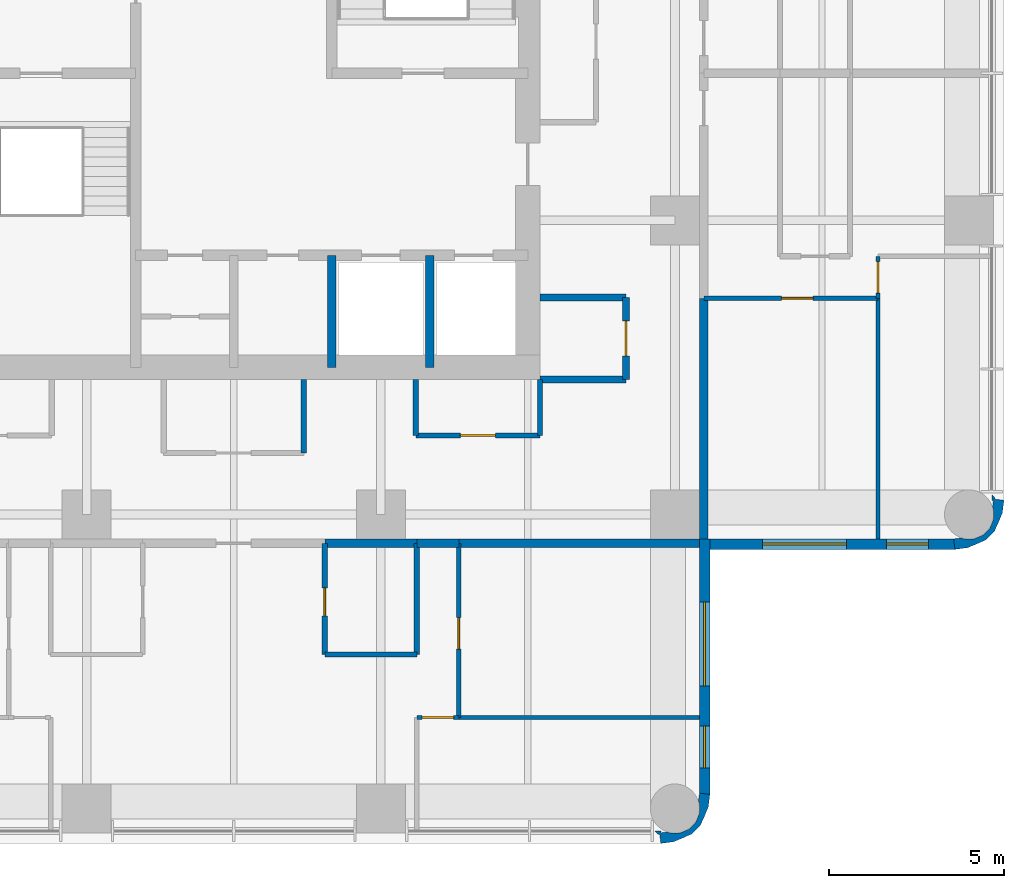
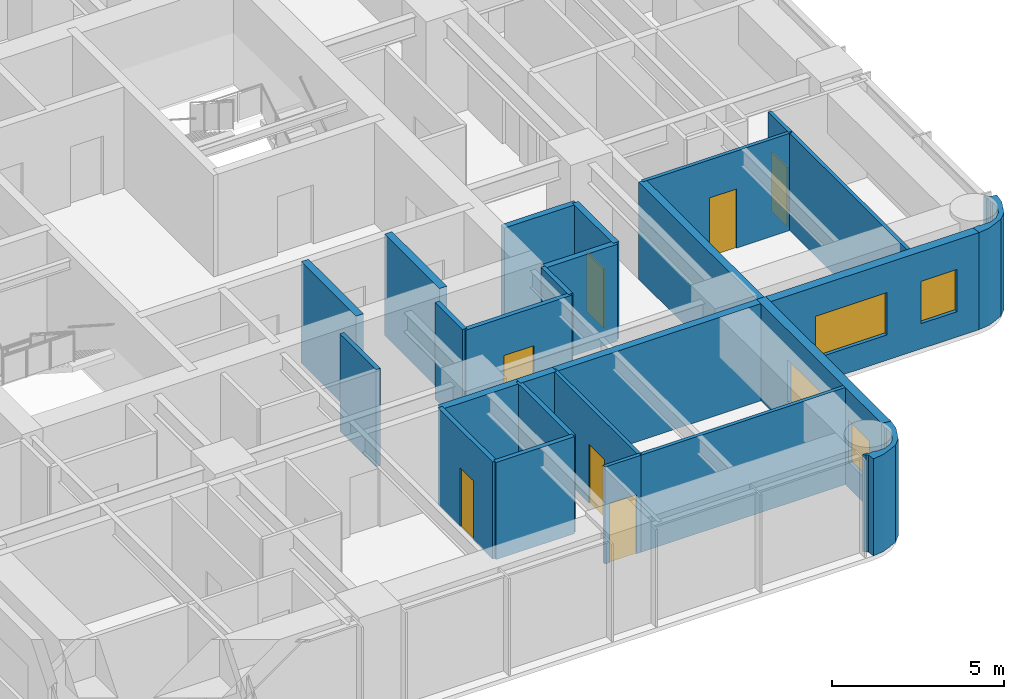
# One storey, part 7 of 11: 26 walls, 7 doors, 4 windows, 11 openings.
"""IFC4 building model written with IfcOpenShell, lengths in metres."""

from ifc_helpers import new_model, si_unit, direction, frame, frame_2d, origin, place, context, subcontext, project, spatial, polyline, rectangle, outline, extrude, material, layer, layer_set, type_object, element, fill, save


model = new_model("IFC4")

# Units and contexts
model_context = context("Model", 3, precision=1e-05, world=origin(), true_north=direction((0.0, 1.0)))
body_context = subcontext(model_context, "Body", "Model", "MODEL_VIEW")
ifc_project = project(units=[si_unit("LENGTHUNIT", "METRE"), si_unit("AREAUNIT", "SQUARE_METRE"), si_unit("VOLUMEUNIT", "CUBIC_METRE"), si_unit("PLANEANGLEUNIT", "RADIAN"), si_unit("MASSUNIT", "GRAM", prefix="KILO")], contexts=[model_context])

# Site, building, storey
site_placement = place(None, origin())
site = spatial("IfcSite", under=ifc_project, at=site_placement, CompositionType="ELEMENT")
building_placement = place(site_placement, origin())
building = spatial("IfcBuilding", under=site, at=building_placement, Name="Torre Alcanfor", CompositionType="ELEMENT")
storey_placement = place(building_placement, frame((0.0, 0.0, 197.699951171875)))
storey = spatial("IfcBuildingStorey", under=building, at=storey_placement, Name="L51", CompositionType="ELEMENT", Elevation=197.699951171875)

# Walls
ifc_material_1 = material(Name="Concrete block masonry, hollow blocks NMX-C-404 9 MPa", Category="masonry")
ifc_layer_1 = layer(ifc_material_1, 0.25)
ifc_layer_set_1 = layer_set([ifc_layer_1], Name="Apartment entrance wall 250 EI 60")
wall_type_1 = type_object("IfcWallType", Name="Apartment entrance wall 250 EI 60", PredefinedType="PARTITIONING", material=ifc_layer_set_1)
wall_1_placement = place(storey_placement, frame((42.824951171875, 22.970947265625, 0.0), z_axis=(0.0, 0.0, 1.0), x_axis=(0.0, -1.0, 0.0)))
element("IfcWall", 1, at=wall_1_placement, inside=storey, type_object=wall_type_1, Name="Partition L51-CORR / L51-E2-BED2", PredefinedType="PARTITIONING", context=body_context, shape_type="SweptSolid", body=[
    extrude(rectangle(XDim=6.870849609375, YDim=0.25, at=frame_2d((3.435546875, 0.0))), origin(), (0.0, 0.0, 1.0), 3.449951171875),
])
wall_2_placement = place(storey_placement, frame((34.62890625, 15.97509765625, 0.0), z_axis=(0.0, 0.0, 1.0), x_axis=(-1.0, 0.0, 0.0)))
element("IfcWall", 2, at=wall_2_placement, inside=storey, type_object=wall_type_1, Name="Partition L51-CORR / L51-SX-BATH2", PredefinedType="PARTITIONING", context=body_context, shape_type="SweptSolid", body=[
    extrude(rectangle(XDim=2.62890625, YDim=0.25, at=frame_2d((1.314453125, 0.0))), origin(), (0.0, 0.0, 1.0), 3.449951171875),
])
wall_3_placement = place(storey_placement, frame((35.8291015625, 15.97509765625, 0.0), z_axis=(0.0, 0.0, 1.0), x_axis=(-1.0, 0.0, 0.0)))
element("IfcWall", 3, at=wall_3_placement, inside=storey, type_object=wall_type_1, Name="Partition L51-CORR / L51-SX-LIVING", PredefinedType="PARTITIONING", context=body_context, shape_type="SweptSolid", body=[
    extrude(rectangle(XDim=1.2001953125, YDim=0.25, at=frame_2d((0.60009765625, 0.0))), origin(), (0.0, 0.0, 1.0), 3.449951171875),
])
wall_4_placement = place(storey_placement, frame((42.699951171875, 15.97509765625, 0.0), z_axis=(0.0, 0.0, 1.0), x_axis=(-1.0, 0.0, 0.0)))
element("IfcWall", 4, at=wall_4_placement, inside=storey, type_object=wall_type_1, Name="Partition L51-CORR / L51-SX-BED2", PredefinedType="PARTITIONING", context=body_context, shape_type="SweptSolid", body=[
    extrude(rectangle(XDim=6.870849609375, YDim=0.25, at=frame_2d((3.435546875, 0.0))), origin(), (0.0, 0.0, 1.0), 3.449951171875),
])

# Wall, opening, door
ifc_material_2 = material(Name="Gypsum board on steel studs", Category="steel")
ifc_layer_2 = layer(ifc_material_2, 0.1201171875)
ifc_layer_set_2 = layer_set([ifc_layer_2], Name="Apartment partition 120")
wall_type_2 = type_object("IfcWallType", Name="Apartment partition 120", PredefinedType="PARTITIONING", material=ifc_layer_set_2)
wall_5_placement = place(storey_placement, frame((47.800048828125, 22.970947265625, 0.0), z_axis=(0.0, 0.0, 1.0), x_axis=(-1.0, 0.0, 0.0)))
wall_5 = element("IfcWall", 5, at=wall_5_placement, inside=storey, type_object=wall_type_2, Name="Partition L51-E2-LIVING / L51-E2-BED2", PredefinedType="PARTITIONING", context=body_context, shape_type="SweptSolid", body=[
    extrude(rectangle(XDim=4.97509765625, YDim=0.1201171875, at=frame_2d((2.487548828125, 0.0))), origin(), (0.0, 0.0, 1.0), 3.449951171875),
])
opening_1_placement = place(wall_5_placement, frame((1.85009765625, 0.0, 0.0)))
opening_1 = element("IfcOpeningElement", 6, at=opening_1_placement, cuts=wall_5, Name="Opening D-R1", PredefinedType="OPENING", context=body_context, shape_type="SweptSolid", body=[
    extrude(rectangle(XDim=0.89990234375, YDim=2.10009765625, at=frame_2d((0.449951171875, 1.050048828125))), frame((0.0, 0.070068359375, 0.0), z_axis=(0.0, -1.0, 0.0), x_axis=(1.0, 0.0, 0.0)), (0.0, 0.0, 1.0), 0.14013671875),
])
ifc_material_3 = material(Name="Timber", Category="wood")
door_type_1 = type_object("IfcDoorType", Name="Internal door 900x2100", OperationType="SINGLE_SWING_LEFT", PredefinedType="DOOR", material=ifc_material_3)
door_1_placement = place(opening_1_placement, origin())
door_1 = element("IfcDoor", 7, at=door_1_placement, inside=storey, type_object=door_type_1, Name="Door L51-E2 bed2", OperationType="SINGLE_SWING_LEFT", OverallHeight=2.10009765625, OverallWidth=0.89990234375, PredefinedType="DOOR", context=body_context, shape_type="SweptSolid", body=[
    extrude(rectangle(XDim=0.89990234375, YDim=2.10009765625, at=frame_2d((0.449951171875, 1.050048828125))), frame((0.0, 0.02490234375, 0.0), z_axis=(0.0, -1.0, 0.0), x_axis=(1.0, 0.0, 0.0)), (0.0, 0.0, 1.0), 0.050048828125),
])
fill(opening_1, door_1)

wall_6_placement = place(storey_placement, frame((47.800048828125, 24.1708984375, 0.0), z_axis=(0.0, 0.0, 1.0), x_axis=(0.0, -1.0, 0.0)))
wall_6 = element("IfcWall", 8, at=wall_6_placement, inside=storey, type_object=wall_type_2, Name="Partition L51-E2-LIVING / L51-E2-MASTER", PredefinedType="PARTITIONING", context=body_context, shape_type="SweptSolid", body=[
    extrude(rectangle(XDim=1.199951171875, YDim=0.1201171875, at=frame_2d((0.60009765625, 0.0))), origin(), (0.0, 0.0, 1.0), 3.449951171875),
])
opening_2_placement = place(wall_6_placement, frame((0.15087890625, 0.0, 0.0)))
opening_2 = element("IfcOpeningElement", 9, at=opening_2_placement, cuts=wall_6, Name="Opening D-R1", PredefinedType="OPENING", context=body_context, shape_type="SweptSolid", body=[
    extrude(rectangle(XDim=0.89990234375, YDim=2.10009765625, at=frame_2d((0.449951171875, 1.050048828125))), frame((0.0, 0.070068359375, 0.0), z_axis=(0.0, -1.0, 0.0), x_axis=(1.0, 0.0, 0.0)), (0.0, 0.0, 1.0), 0.14013671875),
])
door_2_placement = place(opening_2_placement, origin())
door_2 = element("IfcDoor", 10, at=door_2_placement, inside=storey, type_object=door_type_1, Name="Door L51-E2 master", OperationType="SINGLE_SWING_LEFT", OverallHeight=2.10009765625, OverallWidth=0.89990234375, PredefinedType="DOOR", context=body_context, shape_type="SweptSolid", body=[
    extrude(rectangle(XDim=0.89990234375, YDim=2.10009765625, at=frame_2d((0.449951171875, 1.050048828125))), frame((0.0, 0.02490234375, 0.0), z_axis=(0.0, -1.0, 0.0), x_axis=(1.0, 0.0, 0.0)), (0.0, 0.0, 1.0), 0.050048828125),
])
fill(opening_2, door_2)

# Wall
wall_7_placement = place(storey_placement, frame((47.800048828125, 22.970947265625, 0.0), z_axis=(0.0, 0.0, 1.0), x_axis=(0.0, -1.0, 0.0)))
element("IfcWall", 11, at=wall_7_placement, inside=storey, type_object=wall_type_2, Name="Partition L51-E2-BED2 / L51-E2-MASTER", PredefinedType="PARTITIONING", context=body_context, shape_type="SweptSolid", body=[
    extrude(rectangle(XDim=6.870849609375, YDim=0.1201171875, at=frame_2d((3.435546875, 0.0))), origin(), (0.0, 0.0, 1.0), 3.449951171875),
])

# Wall, opening, door
wall_8_placement = place(storey_placement, frame((35.8291015625, 15.97509765625, 0.0), z_axis=(0.0, 0.0, 1.0), x_axis=(0.0, -1.0, 0.0)))
wall_8 = element("IfcWall", 12, at=wall_8_placement, inside=storey, type_object=wall_type_2, Name="Partition L51-SX-LIVING / L51-SX-BED2", PredefinedType="PARTITIONING", context=body_context, shape_type="SweptSolid", body=[
    extrude(rectangle(XDim=4.97509765625, YDim=0.1201171875, at=frame_2d((2.487548828125, 0.0))), origin(), (0.0, 0.0, 1.0), 3.449951171875),
])
opening_3_placement = place(wall_8_placement, frame((2.125, 0.0, 0.0)))
opening_3 = element("IfcOpeningElement", 13, at=opening_3_placement, cuts=wall_8, Name="Opening D-R1", PredefinedType="OPENING", context=body_context, shape_type="SweptSolid", body=[
    extrude(rectangle(XDim=0.89990234375, YDim=2.10009765625, at=frame_2d((0.449951171875, 1.050048828125))), frame((0.0, 0.070068359375, 0.0), z_axis=(0.0, -1.0, 0.0), x_axis=(1.0, 0.0, 0.0)), (0.0, 0.0, 1.0), 0.14013671875),
])
door_3_placement = place(opening_3_placement, origin())
door_3 = element("IfcDoor", 14, at=door_3_placement, inside=storey, type_object=door_type_1, Name="Door L51-SX bed2", OperationType="SINGLE_SWING_RIGHT", OverallHeight=2.10009765625, OverallWidth=0.89990234375, PredefinedType="DOOR", context=body_context, shape_type="SweptSolid", body=[
    extrude(rectangle(XDim=0.89990234375, YDim=2.10009765625, at=frame_2d((0.449951171875, 1.050048828125))), frame((0.0, 0.02490234375, 0.0), z_axis=(0.0, -1.0, 0.0), x_axis=(1.0, 0.0, 0.0)), (0.0, 0.0, 1.0), 0.050048828125),
])
fill(opening_3, door_3)

wall_9_placement = place(storey_placement, frame((35.8291015625, 11.0, 0.0), z_axis=(0.0, 0.0, 1.0), x_axis=(-1.0, 0.0, 0.0)))
wall_9 = element("IfcWall", 15, at=wall_9_placement, inside=storey, type_object=wall_type_2, Name="Partition L51-SX-LIVING / L51-SX-MASTER", PredefinedType="PARTITIONING", context=body_context, shape_type="SweptSolid", body=[
    extrude(rectangle(XDim=1.2001953125, YDim=0.1201171875, at=frame_2d((0.60009765625, 0.0))), origin(), (0.0, 0.0, 1.0), 3.449951171875),
])
opening_4_placement = place(wall_9_placement, frame((0.14892578125, 0.0, 0.0)))
opening_4 = element("IfcOpeningElement", 16, at=opening_4_placement, cuts=wall_9, Name="Opening D-R1", PredefinedType="OPENING", context=body_context, shape_type="SweptSolid", body=[
    extrude(rectangle(XDim=0.89990234375, YDim=2.10009765625, at=frame_2d((0.449951171875, 1.050048828125))), frame((0.0, 0.070068359375, 0.0), z_axis=(0.0, -1.0, 0.0), x_axis=(1.0, 0.0, 0.0)), (0.0, 0.0, 1.0), 0.14013671875),
])
door_4_placement = place(opening_4_placement, origin())
door_4 = element("IfcDoor", 17, at=door_4_placement, inside=storey, type_object=door_type_1, Name="Door L51-SX master", OperationType="SINGLE_SWING_RIGHT", OverallHeight=2.10009765625, OverallWidth=0.89990234375, PredefinedType="DOOR", context=body_context, shape_type="SweptSolid", body=[
    extrude(rectangle(XDim=0.89990234375, YDim=2.10009765625, at=frame_2d((0.449951171875, 1.050048828125))), frame((0.0, 0.02490234375, 0.0), z_axis=(0.0, -1.0, 0.0), x_axis=(1.0, 0.0, 0.0)), (0.0, 0.0, 1.0), 0.050048828125),
])
fill(opening_4, door_4)

# Walls
wall_10_placement = place(storey_placement, frame((35.8291015625, 11.0, 0.0), z_axis=(0.0, 0.0, 1.0), x_axis=(1.0, 0.0, 0.0)))
element("IfcWall", 18, at=wall_10_placement, inside=storey, type_object=wall_type_2, Name="Partition L51-SX-BED2 / L51-SX-MASTER", PredefinedType="PARTITIONING", context=body_context, shape_type="SweptSolid", body=[
    extrude(rectangle(XDim=6.870849609375, YDim=0.1201171875, at=frame_2d((3.435546875, 0.0))), origin(), (0.0, 0.0, 1.0), 3.449951171875),
])
ifc_material_4 = material(Name="Concrete f'c 70 MPa", Category="concrete")
ifc_layer_3 = layer(ifc_material_4, 0.25)
ifc_layer_set_3 = layer_set([ifc_layer_3], Name="Core shaft wall 250 f'c70")
wall_type_3 = type_object("IfcWallType", Name="Core shaft wall 250 f'c70", PredefinedType="SHEAR", material=ifc_layer_set_3)
for number, where, z_axis, x_axis, name in (
    (19, (32.199951171875, 21.0, 0.0), (0.0, 0.0, 1.0), (0.0, 1.0, 0.0), "Core wall X322S L51"),
    (20, (35.0, 21.0, 0.0), (0.0, 0.0, 1.0), (0.0, 1.0, 0.0), "Core wall X350S L51"),
):
    element("IfcWall", number, at=place(storey_placement, frame(where, z_axis=z_axis, x_axis=x_axis)), inside=storey, type_object=wall_type_3, Name=name, PredefinedType="SHEAR", context=body_context, shape_type="SweptSolid", body=[
        extrude(rectangle(XDim=3.199951171875, YDim=0.25, at=frame_2d((1.60009765625, 0.0))), origin(), (0.0, 0.0, 1.0), 3.60009765625),
    ])

# Wall, openings, windows
ifc_material_5 = material(Name="Limestone cladding", Category="masonry")
ifc_layer_4 = layer(ifc_material_5, 0.0400390625, Name="Facing")
ifc_material_6 = material(Name="Ventilated air cavity")
ifc_layer_5 = layer(ifc_material_6, 0.02001953125, ventilated=True, Name="Ventilated joint")
ifc_material_7 = material(Name="Mineral wool insulation", Category="insulation")
ifc_layer_6 = layer(ifc_material_7, 0.10009765625, Name="Insulation")
ifc_material_8 = material(Name="Concrete f'c 35 MPa", Category="concrete")
ifc_layer_7 = layer(ifc_material_8, 0.139892578125, Name="Backing")
ifc_layer_set_4 = layer_set([ifc_layer_4, ifc_layer_5, ifc_layer_6, ifc_layer_7], Name="External wall stone-clad 300")
wall_type_4 = type_object("IfcWallType", Name="External wall stone-clad 300", PredefinedType="SOLIDWALL", material=ifc_layer_set_4)
wall_11_placement = place(storey_placement, frame((42.85009765625, 8.800048828125, 0.0), z_axis=(0.0, 0.0, 1.0), x_axis=(0.0, 1.0, 0.0)))
wall_11 = element("IfcWall", 21, at=wall_11_placement, inside=storey, type_object=wall_type_4, Name="External wall L51 6", PredefinedType="SOLIDWALL", context=body_context, shape_type="SweptSolid", body=[
    extrude(rectangle(XDim=7.300048828125, YDim=0.300048828125, at=frame_2d((3.64990234375, 0.0))), origin(), (0.0, 0.0, 1.0), 3.449951171875),
])
opening_5_placement = place(wall_11_placement, frame((3.10009765625, 0.0, 0.89990234375)))
opening_5 = element("IfcOpeningElement", 22, at=opening_5_placement, cuts=wall_11, Name="Opening W1", PredefinedType="OPENING", context=body_context, shape_type="SweptSolid", body=[
    extrude(rectangle(XDim=2.39990234375, YDim=1.5, at=frame_2d((1.199951171875, 0.75))), frame((0.0, 0.159912109375, 0.0), z_axis=(0.0, -1.0, 0.0), x_axis=(1.0, 0.0, 0.0)), (0.0, 0.0, 1.0), 0.320068359375),
])
opening_6_placement = place(wall_11_placement, frame((0.75, 0.0, 0.89990234375)))
opening_6 = element("IfcOpeningElement", 23, at=opening_6_placement, cuts=wall_11, Name="Opening W4", PredefinedType="OPENING", context=body_context, shape_type="SweptSolid", body=[
    extrude(rectangle(XDim=1.199951171875, YDim=1.5, at=frame_2d((0.60009765625, 0.75))), frame((0.0, 0.159912109375, 0.0), z_axis=(0.0, -1.0, 0.0), x_axis=(1.0, 0.0, 0.0)), (0.0, 0.0, 1.0), 0.320068359375),
])
ifc_material_9 = material(Name="Aluminium frame with clear double glazing", Category="aluminium")
window_type_1 = type_object("IfcWindowType", Name="Window bedroom 1200x1500", PartitioningType="SINGLE_PANEL", PredefinedType="WINDOW", material=ifc_material_9)
window_1_placement = place(opening_6_placement, origin())
window_1 = element("IfcWindow", 24, at=window_1_placement, inside=storey, type_object=window_type_1, Name="Window W4 L51-S1", OverallHeight=1.5, OverallWidth=1.199951171875, PartitioningType="SINGLE_PANEL", PredefinedType="WINDOW", context=body_context, shape_type="SweptSolid", body=[
    extrude(rectangle(XDim=1.199951171875, YDim=1.5, at=frame_2d((0.60009765625, 0.75))), frame((0.0, 0.030029296875, 0.0), z_axis=(0.0, -1.0, 0.0), x_axis=(1.0, 0.0, 0.0)), (0.0, 0.0, 1.0), 0.06005859375),
])
fill(opening_6, window_1)
ifc_material_10 = material(Name="Aluminium frame with clear double glazing", Category="aluminium")
window_type_2 = type_object("IfcWindowType", Name="Window bedroom 2400x1500", PartitioningType="SINGLE_PANEL", PredefinedType="WINDOW", material=ifc_material_10)
window_2_placement = place(opening_5_placement, origin())
window_2 = element("IfcWindow", 25, at=window_2_placement, inside=storey, type_object=window_type_2, Name="Window W1 L51-S1", OverallHeight=1.5, OverallWidth=2.39990234375, PartitioningType="SINGLE_PANEL", PredefinedType="WINDOW", context=body_context, shape_type="SweptSolid", body=[
    extrude(rectangle(XDim=2.39990234375, YDim=1.5, at=frame_2d((1.199951171875, 0.75))), frame((0.0, 0.030029296875, 0.0), z_axis=(0.0, -1.0, 0.0), x_axis=(1.0, 0.0, 0.0)), (0.0, 0.0, 1.0), 0.06005859375),
])
fill(opening_5, window_2)

wall_12_placement = place(storey_placement, frame((43.0, 15.949951171875, 0.0), z_axis=(0.0, 0.0, 1.0), x_axis=(1.0, 0.0, 0.0)))
wall_12 = element("IfcWall", 26, at=wall_12_placement, inside=storey, type_object=wall_type_4, Name="External wall L51 7", PredefinedType="SOLIDWALL", context=body_context, shape_type="SweptSolid", body=[
    extrude(rectangle(XDim=7.0, YDim=0.300048828125, at=frame_2d((3.5, 0.0))), origin(), (0.0, 0.0, 1.0), 3.449951171875),
])
opening_7_placement = place(wall_12_placement, frame((1.5, 0.0, 0.89990234375)))
opening_7 = element("IfcOpeningElement", 27, at=opening_7_placement, cuts=wall_12, Name="Opening W1", PredefinedType="OPENING", context=body_context, shape_type="SweptSolid", body=[
    extrude(rectangle(XDim=2.39990234375, YDim=1.5, at=frame_2d((1.199951171875, 0.75))), frame((0.0, 0.159912109375, 0.0), z_axis=(0.0, -1.0, 0.0), x_axis=(1.0, 0.0, 0.0)), (0.0, 0.0, 1.0), 0.320068359375),
])
opening_8_placement = place(wall_12_placement, frame((5.050048828125, 0.0, 0.89990234375)))
opening_8 = element("IfcOpeningElement", 28, at=opening_8_placement, cuts=wall_12, Name="Opening W4", PredefinedType="OPENING", context=body_context, shape_type="SweptSolid", body=[
    extrude(rectangle(XDim=1.199951171875, YDim=1.5, at=frame_2d((0.60009765625, 0.75))), frame((0.0, 0.159912109375, 0.0), z_axis=(0.0, -1.0, 0.0), x_axis=(1.0, 0.0, 0.0)), (0.0, 0.0, 1.0), 0.320068359375),
])
window_3_placement = place(opening_8_placement, origin())
window_3 = element("IfcWindow", 29, at=window_3_placement, inside=storey, type_object=window_type_1, Name="Window W4 L51-E2", OverallHeight=1.5, OverallWidth=1.199951171875, PartitioningType="SINGLE_PANEL", PredefinedType="WINDOW", context=body_context, shape_type="SweptSolid", body=[
    extrude(rectangle(XDim=1.199951171875, YDim=1.5, at=frame_2d((0.60009765625, 0.75))), frame((0.0, 0.030029296875, 0.0), z_axis=(0.0, -1.0, 0.0), x_axis=(1.0, 0.0, 0.0)), (0.0, 0.0, 1.0), 0.06005859375),
])
fill(opening_8, window_3)
window_4_placement = place(opening_7_placement, origin())
window_4 = element("IfcWindow", 30, at=window_4_placement, inside=storey, type_object=window_type_2, Name="Window W1 L51-E2", OverallHeight=1.5, OverallWidth=2.39990234375, PartitioningType="SINGLE_PANEL", PredefinedType="WINDOW", context=body_context, shape_type="SweptSolid", body=[
    extrude(rectangle(XDim=2.39990234375, YDim=1.5, at=frame_2d((1.199951171875, 0.75))), frame((0.0, 0.030029296875, 0.0), z_axis=(0.0, -1.0, 0.0), x_axis=(1.0, 0.0, 0.0)), (0.0, 0.0, 1.0), 0.06005859375),
])
fill(opening_7, window_4)

# Wall
ifc_material_11 = material(Name="Concrete block masonry, hollow blocks NMX-C-404 9 MPa", Category="masonry")
ifc_layer_8 = layer(ifc_material_11, 0.199951171875)
ifc_layer_set_5 = layer_set([ifc_layer_8], Name="Plant room wall 200 EI 60")
wall_type_5 = type_object("IfcWallType", Name="Plant room wall 200 EI 60", PredefinedType="PARTITIONING", material=ifc_layer_set_5)
wall_13_placement = place(storey_placement, frame((38.14990234375, 20.64990234375, 0.0), z_axis=(0.0, 0.0, 1.0), x_axis=(1.0, 0.0, 0.0)))
element("IfcWall", 31, at=wall_13_placement, inside=storey, type_object=wall_type_5, Name="Partition L51-CORR / L51-G03", PredefinedType="PARTITIONING", context=body_context, shape_type="SweptSolid", body=[
    extrude(rectangle(XDim=2.4501953125, YDim=0.199951171875, at=frame_2d((1.22509765625, 0.0))), origin(), (0.0, 0.0, 1.0), 3.449951171875),
])

# Wall, opening, door
wall_14_placement = place(storey_placement, frame((40.60009765625, 20.64990234375, 0.0), z_axis=(0.0, 0.0, 1.0), x_axis=(0.0, 1.0, 0.0)))
wall_14 = element("IfcWall", 32, at=wall_14_placement, inside=storey, type_object=wall_type_5, Name="Partition L51-CORR / L51-G03", PredefinedType="PARTITIONING", context=body_context, shape_type="SweptSolid", body=[
    extrude(rectangle(XDim=2.35009765625, YDim=0.199951171875, at=frame_2d((1.175048828125, 0.0))), origin(), (0.0, 0.0, 1.0), 3.449951171875),
])
opening_9_placement = place(wall_14_placement, frame((0.675048828125, 0.0, 0.0)))
opening_9 = element("IfcOpeningElement", 33, at=opening_9_placement, cuts=wall_14, Name="Opening D-K1", PredefinedType="OPENING", context=body_context, shape_type="SweptSolid", body=[
    extrude(rectangle(XDim=1.0, YDim=2.10009765625, at=frame_2d((0.5, 1.050048828125))), frame((0.0, 0.10986328125, 0.0), z_axis=(0.0, -1.0, 0.0), x_axis=(1.0, 0.0, 0.0)), (0.0, 0.0, 1.0), 0.219970703125),
])
ifc_material_12 = material(Name="Galvanised steel sheet ASTM A653", Category="steel")
door_type_2 = type_object("IfcDoorType", Name="Core room door FD60 1000x2100", OperationType="SINGLE_SWING_LEFT", PredefinedType="DOOR", material=ifc_material_12)
door_5_placement = place(opening_9_placement, origin())
door_5 = element("IfcDoor", 34, at=door_5_placement, inside=storey, type_object=door_type_2, Name="Door L51-G03 refuse and recycling store", OperationType="SINGLE_SWING_LEFT", OverallHeight=2.10009765625, OverallWidth=1.0, PredefinedType="DOOR", context=body_context, shape_type="SweptSolid", body=[
    extrude(rectangle(XDim=1.0, YDim=2.10009765625, at=frame_2d((0.5, 1.050048828125))), frame((0.0, 0.02490234375, 0.0), z_axis=(0.0, -1.0, 0.0), x_axis=(1.0, 0.0, 0.0)), (0.0, 0.0, 1.0), 0.050048828125),
])
fill(opening_9, door_5)

# Walls
wall_15_placement = place(storey_placement, frame((40.60009765625, 23.0, 0.0), z_axis=(0.0, 0.0, 1.0), x_axis=(-1.0, 0.0, 0.0)))
element("IfcWall", 35, at=wall_15_placement, inside=storey, type_object=wall_type_5, Name="Partition L51-CORR / L51-G03", PredefinedType="PARTITIONING", context=body_context, shape_type="SweptSolid", body=[
    extrude(rectangle(XDim=2.4501953125, YDim=0.199951171875, at=frame_2d((1.22509765625, 0.0))), origin(), (0.0, 0.0, 1.0), 3.449951171875),
])
ifc_material_13 = material(Name="Concrete block masonry, hollow blocks NMX-C-404 9 MPa", Category="masonry")
ifc_layer_9 = layer(ifc_material_13, 0.14990234375)
ifc_layer_set_6 = layer_set([ifc_layer_9], Name="Residents' room partition 150")
wall_type_6 = type_object("IfcWallType", Name="Residents' room partition 150", PredefinedType="PARTITIONING", material=ifc_layer_set_6)
wall_16_placement = place(storey_placement, frame((31.39990234375, 18.550048828125, 0.0), z_axis=(0.0, 0.0, 1.0), x_axis=(0.0, 1.0, 0.0)))
element("IfcWall", 36, at=wall_16_placement, inside=storey, type_object=wall_type_6, Name="Partition L51-CORR / L51-G06", PredefinedType="PARTITIONING", context=body_context, shape_type="SweptSolid", body=[
    extrude(rectangle(XDim=2.099853515625, YDim=0.14990234375, at=frame_2d((1.0498046875, 0.0))), origin(), (0.0, 0.0, 1.0), 3.449951171875),
])
wall_17_placement = place(storey_placement, frame((34.60009765625, 20.64990234375, 0.0), z_axis=(0.0, 0.0, 1.0), x_axis=(0.0, -1.0, 0.0)))
element("IfcWall", 37, at=wall_17_placement, inside=storey, type_object=wall_type_6, Name="Partition L51-CORR / L51-G07", PredefinedType="PARTITIONING", context=body_context, shape_type="SweptSolid", body=[
    extrude(rectangle(XDim=1.599853515625, YDim=0.14990234375, at=frame_2d((0.7998046875, 0.0))), origin(), (0.0, 0.0, 1.0), 3.449951171875),
])

# Wall, opening, door
wall_18_placement = place(storey_placement, frame((34.60009765625, 19.050048828125, 0.0), z_axis=(0.0, 0.0, 1.0), x_axis=(1.0, 0.0, 0.0)))
wall_18 = element("IfcWall", 38, at=wall_18_placement, inside=storey, type_object=wall_type_6, Name="Partition L51-CORR / L51-G07", PredefinedType="PARTITIONING", context=body_context, shape_type="SweptSolid", body=[
    extrude(rectangle(XDim=3.5498046875, YDim=0.14990234375, at=frame_2d((1.77490234375, 0.0))), origin(), (0.0, 0.0, 1.0), 3.449951171875),
])
opening_10_placement = place(wall_18_placement, frame((1.27490234375, 0.0, 0.0)))
opening_10 = element("IfcOpeningElement", 39, at=opening_10_placement, cuts=wall_18, Name="Opening D-M1", PredefinedType="OPENING", context=body_context, shape_type="SweptSolid", body=[
    extrude(rectangle(XDim=1.0, YDim=2.10009765625, at=frame_2d((0.5, 1.050048828125))), frame((0.0, 0.0849609375, 0.0), z_axis=(0.0, -1.0, 0.0), x_axis=(1.0, 0.0, 0.0)), (0.0, 0.0, 1.0), 0.169921875),
])
ifc_material_14 = material(Name="Timber", Category="wood")
door_type_3 = type_object("IfcDoorType", Name="Residents' room door 1000x2100", OperationType="SINGLE_SWING_LEFT", PredefinedType="DOOR", material=ifc_material_14)
door_6_placement = place(opening_10_placement, origin())
door_6 = element("IfcDoor", 40, at=door_6_placement, inside=storey, type_object=door_type_3, Name="Door L51-G07 residents' lockers", OperationType="SINGLE_SWING_LEFT", OverallHeight=2.10009765625, OverallWidth=1.0, PredefinedType="DOOR", context=body_context, shape_type="SweptSolid", body=[
    extrude(rectangle(XDim=1.0, YDim=2.10009765625, at=frame_2d((0.5, 1.050048828125))), frame((0.0, 0.02490234375, 0.0), z_axis=(0.0, -1.0, 0.0), x_axis=(1.0, 0.0, 0.0)), (0.0, 0.0, 1.0), 0.050048828125),
])
fill(opening_10, door_6)

# Walls
wall_19_placement = place(storey_placement, frame((38.14990234375, 19.050048828125, 0.0), z_axis=(0.0, 0.0, 1.0), x_axis=(0.0, 1.0, 0.0)))
element("IfcWall", 41, at=wall_19_placement, inside=storey, type_object=wall_type_6, Name="Partition L51-CORR / L51-G07", PredefinedType="PARTITIONING", context=body_context, shape_type="SweptSolid", body=[
    extrude(rectangle(XDim=1.599853515625, YDim=0.14990234375, at=frame_2d((0.7998046875, 0.0))), origin(), (0.0, 0.0, 1.0), 3.449951171875),
])
ifc_layer_10 = layer(ifc_material_5, 0.0400390625, Name="Facing")
ifc_layer_11 = layer(ifc_material_6, 0.02001953125, ventilated=True, Name="Ventilated joint")
ifc_layer_12 = layer(ifc_material_7, 0.10009765625, Name="Insulation")
ifc_layer_13 = layer(ifc_material_8, 0.139892578125, Name="Backing")
ifc_layer_set_7 = layer_set([ifc_layer_10, ifc_layer_11, ifc_layer_12, ifc_layer_13], Name="Rounded corner pier stone-clad 300")
wall_type_7 = type_object("IfcWallType", Name="Rounded corner pier stone-clad 300", PredefinedType="SOLIDWALL", material=ifc_layer_set_7)
wall_20_placement = place(storey_placement, frame((41.487674505, 7.81184816, 0.0), z_axis=(0.0, 0.0, 1.0), x_axis=(0.439933741929, -0.898030234854, 0.0)))
element("IfcWall", 42, at=wall_20_placement, inside=storey, type_object=wall_type_7, Name="Corner pier L51 16", PredefinedType="SOLIDWALL", context=body_context, shape_type="SweptSolid", body=[
    extrude(outline(polyline([(-0.22211106405008596, 1.79285683715578), (-0.38963046514304167, 1.5408036407584151), (-0.3716523207929293, 1.5319963734639448), (-0.19468756344442484, 1.4143112499146666), (-0.11952867709650372, 1.4095716139925836), (0.13084986982823227, 1.2869143060622759), (0.31521775375122, 1.077790939273673), (0.4056918504372342, 0.8140758848288827), (0.38808178724257975, 0.5356161745678794), (0.2654244793122719, 0.2852376276431435), (0.2089428669679142, 0.23542648619150297), (0.14753391384334946, 0.052913590909571956), (0.10500025525893722, 0.07375029645990445), (0.031856974435347366, -0.07555599991115089), (0.1375846098688884, -0.03953909720776211), (0.1818140873587874, -0.00030939302076338215), (0.41939853572309777, -0.08026947549461516), (0.5358164427032454, 0.26614260505761644), (0.5587307592354187, 0.6309028220812384), (0.5547454122460747, 0.6510699721236227), (0.5663481591314005, 0.8356895887147825), (0.4554073490163316, 1.1591818423176052), (0.33330228334154954, 1.2978396679318425), (0.3239786746038034, 1.3165440299102549), (0.08230538830534162, 1.5907138760183892), (-0.22211106405008596, 1.79285683715578)])), origin(), (0.0, 0.0, 1.0), 3.449951171875),
])
wall_21_placement = place(storey_placement, frame((50.110315272, 16.075788181, 0.0), z_axis=(0.0, 0.0, 1.0), x_axis=(0.898030234854, -0.439933741929, 0.0)))
element("IfcWall", 43, at=wall_21_placement, inside=storey, type_object=wall_type_7, Name="Corner pier L51 17", PredefinedType="SOLIDWALL", context=body_context, shape_type="SweptSolid", body=[
    extrude(outline(polyline([(0.6635309497954787, 1.5768652207279077), (0.4261657470939745, 1.4970125439527688), (0.3820436753027886, 1.5360230024769612), (0.27620863417053443, 1.5722591508431565), (0.3493519149941243, 1.422952854472101), (0.3918855735785366, 1.4437895600224335), (0.45340193240181437, 1.2610574190776962), (0.5097761390474591, 1.211465523288862), (0.6324334469777668, 0.961086976364126), (0.6500435101724213, 0.6826272661031227), (0.5595694134864071, 0.41891221165833237), (0.3749822839006132, 0.2096814391710166), (0.12460373697587725, 0.08702413124070879), (0.0497715019894753, 0.08217265535453251), (-0.12751990672054841, -0.03540062823065235), (-0.14527880540785457, -0.04410048982640973), (0.02224059568510124, -0.2961536862237746), (0.3266570480405287, -0.09401072508638375), (0.5683303343389906, 0.18015912102175058), (0.5774346974139304, 0.19875607730145015), (0.6998664144502319, 0.3373020629515939), (0.8106998188665876, 0.6610135622172228), (0.7988778263184556, 0.8455257731096697), (0.8030824189706058, 0.8658003288507671), (0.7801681024384324, 1.230560545874389), (0.6635309497954787, 1.5768652207279077)])), origin(), (0.0, 0.0, 1.0), 3.449951171875),
])

# Wall, opening, door
ifc_material_15 = material(Name="Cement board on steel studs", Category="steel")
ifc_layer_14 = layer(ifc_material_15, 0.14990234375)
ifc_layer_set_8 = layer_set([ifc_layer_14], Name="Wet area partition 150")
wall_type_8 = type_object("IfcWallType", Name="Wet area partition 150", PredefinedType="PARTITIONING", material=ifc_layer_set_8)
wall_22_placement = place(storey_placement, frame((32.0, 12.800048828125, 0.0), z_axis=(0.0, 0.0, 1.0), x_axis=(0.0, 1.0, 0.0)))
wall_22 = element("IfcWall", 44, at=wall_22_placement, inside=storey, type_object=wall_type_8, Name="Partition L51-SX-ZAG / L51-SX-BATH2", PredefinedType="PARTITIONING", context=body_context, shape_type="SweptSolid", body=[
    extrude(rectangle(XDim=3.175048828125, YDim=0.14990234375, at=frame_2d((1.58740234375, 0.0))), origin(), (0.0, 0.0, 1.0), 3.449951171875),
])
opening_11_placement = place(wall_22_placement, frame((1.10009765625, 0.0, 0.0)))
opening_11 = element("IfcOpeningElement", 45, at=opening_11_placement, cuts=wall_22, Name="Opening D-R2", PredefinedType="OPENING", context=body_context, shape_type="SweptSolid", body=[
    extrude(rectangle(XDim=0.800048828125, YDim=2.10009765625, at=frame_2d((0.39990234375, 1.050048828125))), frame((0.0, 0.0849609375, 0.0), z_axis=(0.0, -1.0, 0.0), x_axis=(1.0, 0.0, 0.0)), (0.0, 0.0, 1.0), 0.169921875),
])
ifc_material_16 = material(Name="Timber", Category="wood")
door_type_4 = type_object("IfcDoorType", Name="Bathroom door 800x2100", OperationType="SINGLE_SWING_LEFT", PredefinedType="DOOR", material=ifc_material_16)
door_7_placement = place(opening_11_placement, frame((0.800048828125, 0.0, 0.0), z_axis=(0.0, 0.0, 1.0), x_axis=(-1.0, 0.0, 0.0)))
door_7 = element("IfcDoor", 46, at=door_7_placement, inside=storey, type_object=door_type_4, Name="Door L51-SX bath2", OperationType="SINGLE_SWING_RIGHT", OverallHeight=2.10009765625, OverallWidth=0.800048828125, PredefinedType="DOOR", context=body_context, shape_type="SweptSolid", body=[
    extrude(rectangle(XDim=0.800048828125, YDim=2.10009765625, at=frame_2d((0.400146484375, 1.050048828125))), frame((0.0, 0.025146484375, 0.0), z_axis=(0.0, -1.0, 0.0), x_axis=(1.0, 0.0, 0.0)), (0.0, 0.0, 1.0), 0.050048828125),
])
fill(opening_11, door_7)

# Walls
wall_23_placement = place(storey_placement, frame((32.0, 12.800048828125, 0.0), z_axis=(0.0, 0.0, 1.0), x_axis=(1.0, 0.0, 0.0)))
element("IfcWall", 47, at=wall_23_placement, inside=storey, type_object=wall_type_8, Name="Partition L51-SX-BATH2 / L51-SX-LIVING", PredefinedType="PARTITIONING", context=body_context, shape_type="SweptSolid", body=[
    extrude(rectangle(XDim=2.62890625, YDim=0.14990234375, at=frame_2d((1.314453125, 0.0))), origin(), (0.0, 0.0, 1.0), 3.449951171875),
])
wall_24_placement = place(storey_placement, frame((34.62890625, 12.800048828125, 0.0), z_axis=(0.0, 0.0, 1.0), x_axis=(0.0, 1.0, 0.0)))
element("IfcWall", 48, at=wall_24_placement, inside=storey, type_object=wall_type_8, Name="Partition L51-SX-BATH2 / L51-SX-LIVING", PredefinedType="PARTITIONING", context=body_context, shape_type="SweptSolid", body=[
    extrude(rectangle(XDim=3.175048828125, YDim=0.14990234375, at=frame_2d((1.58740234375, 0.0))), origin(), (0.0, 0.0, 1.0), 3.449951171875),
])

save(model, "model.ifc")
